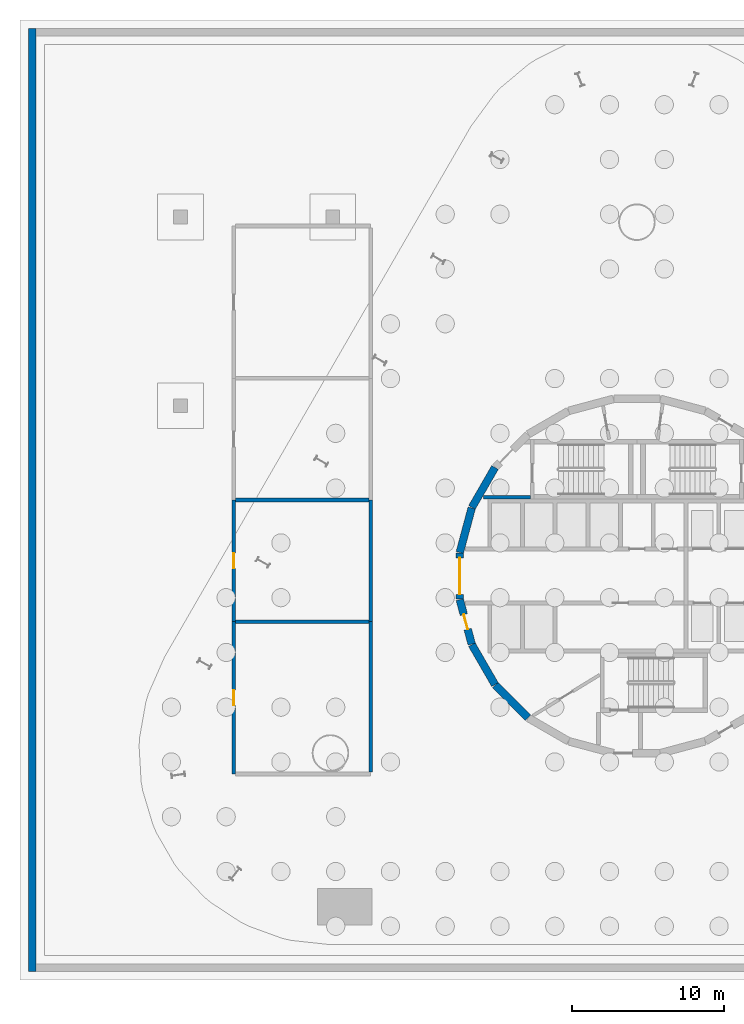
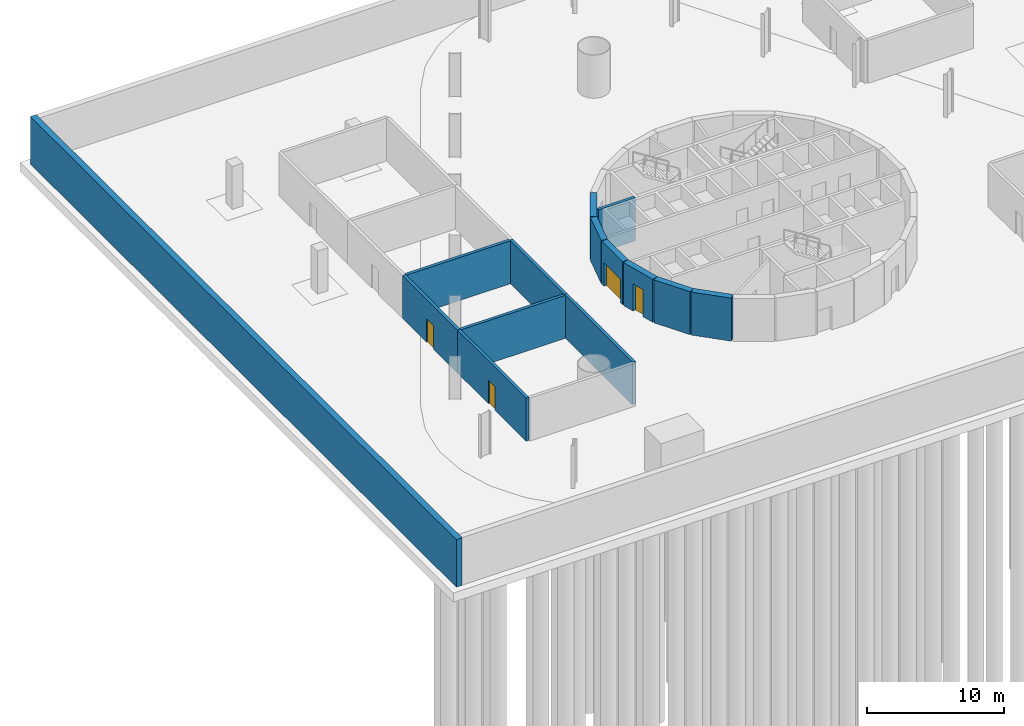
# One storey, part 5 of 11: 14 walls, 4 doors, 4 openings.
"""IFC4 building model written with IfcOpenShell, lengths in metres."""

from ifc_helpers import new_model, si_unit, direction, frame, frame_2d, origin, place, context, subcontext, project, spatial, rectangle, extrude, material, layer, layer_set, type_object, element, fill, save


model = new_model("IFC4")

# Units and contexts
model_context = context("Model", 3, precision=1e-05, world=origin(), true_north=direction((0.0, 1.0)))
body_context = subcontext(model_context, "Body", "Model", "MODEL_VIEW")
ifc_project = project(units=[si_unit("LENGTHUNIT", "METRE"), si_unit("AREAUNIT", "SQUARE_METRE"), si_unit("VOLUMEUNIT", "CUBIC_METRE"), si_unit("PLANEANGLEUNIT", "RADIAN"), si_unit("MASSUNIT", "GRAM", prefix="KILO")], contexts=[model_context])

# Site, building, storey
site_placement = place(None, origin())
site = spatial("IfcSite", under=ifc_project, at=site_placement, CompositionType="ELEMENT")
building_placement = place(site_placement, origin())
building = spatial("IfcBuilding", under=site, at=building_placement, Name="Spindle Arch Residences", CompositionType="ELEMENT")
storey_placement = place(building_placement, frame((0.0, 0.0, -8.39990234375)))
storey = spatial("IfcBuildingStorey", under=building, at=storey_placement, Name="B2", CompositionType="ELEMENT", Elevation=-8.39990234375)

# Walls
ifc_material_1 = material(Name="Concrete C40/50", Category="concrete")
ifc_layer_1 = layer(ifc_material_1, 0.5)
ifc_layer_set_1 = layer_set([ifc_layer_1], Name="Basement retaining wall 500")
wall_type_1 = type_object("IfcWallType", Name="Basement retaining wall 500", PredefinedType="SOLIDWALL", material=ifc_layer_set_1)
wall_1_placement = place(storey_placement, frame((-39.75, 36.0, -0.400146484375), z_axis=(0.0, 0.0, 1.0), x_axis=(0.0, -1.0, 0.0)))
element("IfcWall", 1, at=wall_1_placement, inside=storey, type_object=wall_type_1, Name="Retaining wall 4", PredefinedType="SOLIDWALL", context=body_context, shape_type="SweptSolid", body=[
    extrude(rectangle(XDim=62.0, YDim=0.5, at=frame_2d((31.0, 0.0))), origin(), (0.0, 0.0, 1.0), 4.219970703125),
])
ifc_material_2 = material(Name="Concrete C50/60", Category="concrete")
ifc_layer_2 = layer(ifc_material_2, 0.5)
ifc_layer_set_2 = layer_set([ifc_layer_2], Name="Core outline wall 500")
wall_type_2 = type_object("IfcWallType", Name="Core outline wall 500", PredefinedType="SHEAR", material=ifc_layer_set_2)
for number, where, z_axis, x_axis, name in (
    (2, (-9.32861328125, 7.13671875, 0.0), (0.0, 0.0, 1.0), (-0.500087131594, -0.865975092491, 0.0), "Core outline wall 16"),
    (3, (-10.858154296875, 4.479248046875, 0.0), (0.0, 0.0, 1.0), (-0.258734743916, -0.965948410781, 0.0), "Core outline wall 17"),
):
    element("IfcWall", number, at=place(storey_placement, frame(where, z_axis=z_axis, x_axis=x_axis)), inside=storey, type_object=wall_type_2, Name=name, PredefinedType="SHEAR", context=body_context, shape_type="SweptSolid", body=[
        extrude(rectangle(XDim=3.03271484375, YDim=0.5, at=frame_2d((1.516357421875, 0.0))), origin(), (0.0, 0.0, 1.0), 3.81982421875),
    ])

# Wall, opening, door
wall_2_placement = place(storey_placement, frame((-11.647216796875, 1.516357421875, 0.0), z_axis=(0.0, 0.0, 1.0), x_axis=(0.0, -1.0, 0.0)))
wall_2 = element("IfcWall", 4, at=wall_2_placement, inside=storey, type_object=wall_type_2, Name="Core outline wall 18", PredefinedType="SHEAR", context=body_context, shape_type="SweptSolid", body=[
    extrude(rectangle(XDim=3.03271484375, YDim=0.5, at=frame_2d((1.516357421875, 0.0))), origin(), (0.0, 0.0, 1.0), 3.81982421875),
])
opening_1_placement = place(wall_2_placement, frame((0.31640625, 0.0, 0.0)))
opening_1 = element("IfcOpeningElement", 5, at=opening_1_placement, cuts=wall_2, Name="Opening B2-LE01", PredefinedType="OPENING", context=body_context, shape_type="SweptSolid", body=[
    extrude(rectangle(XDim=2.39990234375, YDim=2.10009765625, at=frame_2d((1.199951171875, 1.050048828125))), frame((0.0, 0.260009765625, 0.0), z_axis=(0.0, -1.0, 0.0), x_axis=(1.0, 0.0, 0.0)), (0.0, 0.0, 1.0), 0.52001953125),
])
ifc_material_3 = material(Name="Steel, fire-resisting door", Category="steel")
door_type_1 = type_object("IfcDoorType", Name="Lift lobby entrance door 2400x2100", OperationType="DOUBLE_DOOR_SINGLE_SWING", PredefinedType="DOOR", material=ifc_material_3)
door_1_placement = place(opening_1_placement, origin())
door_1 = element("IfcDoor", 6, at=door_1_placement, inside=storey, type_object=door_type_1, Name="Lift lobby entrance door B2-LE01", OperationType="DOUBLE_DOOR_SINGLE_SWING", OverallHeight=2.10009765625, OverallWidth=2.39990234375, PredefinedType="DOOR", context=body_context, shape_type="SweptSolid", body=[
    extrude(rectangle(XDim=2.39990234375, YDim=2.10009765625, at=frame_2d((1.199951171875, 1.050048828125))), frame((0.0, 0.02490234375, 0.0), z_axis=(0.0, -1.0, 0.0), x_axis=(1.0, 0.0, 0.0)), (0.0, 0.0, 1.0), 0.050048828125),
])
fill(opening_1, door_1)

wall_3_placement = place(storey_placement, frame((-11.642822265625, -1.5498046875, 0.0), z_axis=(0.0, 0.0, 1.0), x_axis=(0.258734743916, -0.965948410781, 0.0)))
wall_3 = element("IfcWall", 7, at=wall_3_placement, inside=storey, type_object=wall_type_2, Name="Core outline wall 19", PredefinedType="SHEAR", context=body_context, shape_type="SweptSolid", body=[
    extrude(rectangle(XDim=3.03271484375, YDim=0.5, at=frame_2d((1.516357421875, 0.0))), origin(), (0.0, 0.0, 1.0), 3.81982421875),
])
opening_2_placement = place(wall_3_placement, frame((1.016357421875, 0.0, 0.0)))
opening_2 = element("IfcOpeningElement", 8, at=opening_2_placement, cuts=wall_3, Name="Opening B2-PD09", PredefinedType="OPENING", context=body_context, shape_type="SweptSolid", body=[
    extrude(rectangle(XDim=1.0, YDim=2.39990234375, at=frame_2d((0.5, 1.199951171875))), frame((0.0, 0.260009765625, 0.0), z_axis=(0.0, -1.0, 0.0), x_axis=(1.0, 0.0, 0.0)), (0.0, 0.0, 1.0), 0.52001953125),
])
ifc_material_4 = material(Name="Steel, fire-resisting door", Category="steel")
door_type_2 = type_object("IfcDoorType", Name="Plant room door 1000x2400", OperationType="SINGLE_SWING_LEFT", PredefinedType="DOOR", material=ifc_material_4)
door_2_placement = place(opening_2_placement, origin())
door_2 = element("IfcDoor", 9, at=door_2_placement, inside=storey, type_object=door_type_2, Name="Plant room door B2-PD09", OperationType="SINGLE_SWING_RIGHT", OverallHeight=2.39990234375, OverallWidth=1.0, PredefinedType="DOOR", context=body_context, shape_type="SweptSolid", body=[
    extrude(rectangle(XDim=1.0, YDim=2.39990234375, at=frame_2d((0.5, 1.199951171875))), frame((0.0, 0.02490234375, 0.0), z_axis=(0.0, -1.0, 0.0), x_axis=(1.0, 0.0, 0.0)), (0.0, 0.0, 1.0), 0.050048828125),
])
fill(opening_2, door_2)

# Walls
wall_4_placement = place(storey_placement, frame((-10.84521484375, -4.510498046875, 0.0), z_axis=(0.0, 0.0, 1.0), x_axis=(0.500087131594, -0.865975092491, 0.0)))
element("IfcWall", 10, at=wall_4_placement, inside=storey, type_object=wall_type_2, Name="Core outline wall 20", PredefinedType="SHEAR", context=body_context, shape_type="SweptSolid", body=[
    extrude(rectangle(XDim=3.03271484375, YDim=0.5, at=frame_2d((1.516357421875, 0.0))), origin(), (0.0, 0.0, 1.0), 3.81982421875),
])
wall_5_placement = place(storey_placement, frame((-9.30810546875, -7.163818359375, 0.0), z_axis=(0.0, 0.0, 1.0), x_axis=(0.707106781187, -0.707106781187, 0.0)))
element("IfcWall", 11, at=wall_5_placement, inside=storey, type_object=wall_type_2, Name="Core outline wall 21", PredefinedType="SHEAR", context=body_context, shape_type="SweptSolid", body=[
    extrude(rectangle(XDim=3.032470703125, YDim=0.5, at=frame_2d((1.51611328125, 0.0))), origin(), (0.0, 0.0, 1.0), 3.81982421875),
])

# Wall, opening, door
ifc_material_5 = material(Name="Concrete C25/30 wall", Category="concrete")
ifc_layer_3 = layer(ifc_material_5, 0.25)
ifc_layer_set_3 = layer_set([ifc_layer_3], Name="Partition EI 120 250 plant")
wall_type_3 = type_object("IfcWallType", Name="Partition EI 120 250 plant", PredefinedType="PARTITIONING", material=ifc_layer_set_3)
wall_6_placement = place(storey_placement, frame((-26.5, -13.0, 0.0), z_axis=(0.0, 0.0, 1.0), x_axis=(0.0, 1.0, 0.0)))
wall_6 = element("IfcWall", 12, at=wall_6_placement, inside=storey, type_object=wall_type_3, Name="B2-W001", PredefinedType="PARTITIONING", context=body_context, shape_type="SweptSolid", body=[
    extrude(rectangle(XDim=10.0, YDim=0.25, at=frame_2d((5.0, 0.0))), origin(), (0.0, 0.0, 1.0), 3.81982421875),
])
opening_3_placement = place(wall_6_placement, frame((4.5, 0.0, 0.0)))
opening_3 = element("IfcOpeningElement", 13, at=opening_3_placement, cuts=wall_6, Name="Opening B2-D02", PredefinedType="OPENING", context=body_context, shape_type="SweptSolid", body=[
    extrude(rectangle(XDim=1.0, YDim=2.10009765625, at=frame_2d((0.5, 1.050048828125))), frame((0.0, 0.135009765625, 0.0), z_axis=(0.0, -1.0, 0.0), x_axis=(1.0, 0.0, 0.0)), (0.0, 0.0, 1.0), 0.27001953125),
])
ifc_material_6 = material(Name="Steel door leaf, painted", Category="steel")
door_type_3 = type_object("IfcDoorType", Name="Door 1000x2100 EI 60", OperationType="SINGLE_SWING_LEFT", PredefinedType="DOOR", material=ifc_material_6)
door_3_placement = place(opening_3_placement, origin())
door_3 = element("IfcDoor", 14, at=door_3_placement, inside=storey, type_object=door_type_3, Name="B2-D02", OperationType="SINGLE_SWING_LEFT", OverallHeight=2.10009765625, OverallWidth=1.0, PredefinedType="DOOR", context=body_context, shape_type="SweptSolid", body=[
    extrude(rectangle(XDim=1.0, YDim=2.10009765625, at=frame_2d((0.5, 1.050048828125))), frame((0.0, 0.02490234375, 0.0), z_axis=(0.0, -1.0, 0.0), x_axis=(1.0, 0.0, 0.0)), (0.0, 0.0, 1.0), 0.050048828125),
])
fill(opening_3, door_3)

wall_7_placement = place(storey_placement, frame((-26.5, -3.0, 0.0), z_axis=(0.0, 0.0, 1.0), x_axis=(0.0, 1.0, 0.0)))
wall_7 = element("IfcWall", 15, at=wall_7_placement, inside=storey, type_object=wall_type_3, Name="B2-W002", PredefinedType="PARTITIONING", context=body_context, shape_type="SweptSolid", body=[
    extrude(rectangle(XDim=8.0, YDim=0.25, at=frame_2d((4.0, 0.0))), origin(), (0.0, 0.0, 1.0), 3.81982421875),
])
opening_4_placement = place(wall_7_placement, frame((3.5, 0.0, 0.0)))
opening_4 = element("IfcOpeningElement", 16, at=opening_4_placement, cuts=wall_7, Name="Opening B2-D03", PredefinedType="OPENING", context=body_context, shape_type="SweptSolid", body=[
    extrude(rectangle(XDim=1.0, YDim=2.10009765625, at=frame_2d((0.5, 1.050048828125))), frame((0.0, 0.135009765625, 0.0), z_axis=(0.0, -1.0, 0.0), x_axis=(1.0, 0.0, 0.0)), (0.0, 0.0, 1.0), 0.27001953125),
])
door_4_placement = place(opening_4_placement, origin())
door_4 = element("IfcDoor", 17, at=door_4_placement, inside=storey, type_object=door_type_3, Name="B2-D03", OperationType="SINGLE_SWING_LEFT", OverallHeight=2.10009765625, OverallWidth=1.0, PredefinedType="DOOR", context=body_context, shape_type="SweptSolid", body=[
    extrude(rectangle(XDim=1.0, YDim=2.10009765625, at=frame_2d((0.5, 1.050048828125))), frame((0.0, 0.02490234375, 0.0), z_axis=(0.0, -1.0, 0.0), x_axis=(1.0, 0.0, 0.0)), (0.0, 0.0, 1.0), 0.050048828125),
])
fill(opening_4, door_4)

# Walls
wall_8_placement = place(storey_placement, frame((-26.375, -3.0, 0.0), z_axis=(0.0, 0.0, 1.0), x_axis=(1.0, 0.0, 0.0)))
element("IfcWall", 18, at=wall_8_placement, inside=storey, type_object=wall_type_3, Name="B2-W003", PredefinedType="PARTITIONING", context=body_context, shape_type="SweptSolid", body=[
    extrude(rectangle(XDim=8.75, YDim=0.25, at=frame_2d((4.375, 0.0))), origin(), (0.0, 0.0, 1.0), 3.81982421875),
])
wall_9_placement = place(storey_placement, frame((-17.5, -3.0, 0.0), z_axis=(0.0, 0.0, 1.0), x_axis=(0.0, -1.0, 0.0)))
element("IfcWall", 19, at=wall_9_placement, inside=storey, type_object=wall_type_3, Name="B2-W010", PredefinedType="PARTITIONING", context=body_context, shape_type="SweptSolid", body=[
    extrude(rectangle(XDim=9.875, YDim=0.25, at=frame_2d((4.9375, 0.0))), origin(), (0.0, 0.0, 1.0), 3.81982421875),
])
wall_10_placement = place(storey_placement, frame((-17.5, 5.0, 0.0), z_axis=(0.0, 0.0, 1.0), x_axis=(0.0, -1.0, 0.0)))
element("IfcWall", 20, at=wall_10_placement, inside=storey, type_object=wall_type_3, Name="B2-W011", PredefinedType="PARTITIONING", context=body_context, shape_type="SweptSolid", body=[
    extrude(rectangle(XDim=8.0, YDim=0.25, at=frame_2d((4.0, 0.0))), origin(), (0.0, 0.0, 1.0), 3.81982421875),
])
ifc_material_7 = material(Name="Concrete C25/30 wall", Category="concrete")
ifc_layer_4 = layer(ifc_material_7, 0.25)
ifc_layer_set_4 = layer_set([ifc_layer_4], Name="Partition EI 150 250 electrical")
wall_type_4 = type_object("IfcWallType", Name="Partition EI 150 250 electrical", PredefinedType="PARTITIONING", material=ifc_layer_set_4)
wall_11_placement = place(storey_placement, frame((-26.375, 5.0, 0.0), z_axis=(0.0, 0.0, 1.0), x_axis=(1.0, 0.0, 0.0)))
element("IfcWall", 21, at=wall_11_placement, inside=storey, type_object=wall_type_4, Name="B2-W005", PredefinedType="PARTITIONING", context=body_context, shape_type="SweptSolid", body=[
    extrude(rectangle(XDim=8.75, YDim=0.25, at=frame_2d((4.375, 0.0))), origin(), (0.0, 0.0, 1.0), 3.81982421875),
])
ifc_material_8 = material(Name="Concrete C40/50", Category="concrete")
ifc_layer_5 = layer(ifc_material_8, 0.25)
ifc_layer_set_5 = layer_set([ifc_layer_5], Name="Stair airlock wall 250")
wall_type_5 = type_object("IfcWallType", Name="Stair airlock wall 250", PredefinedType="SHEAR", material=ifc_layer_set_5)
wall_12_placement = place(storey_placement, frame((-7.0, 5.175048828125, 0.0), z_axis=(0.0, 0.0, 1.0), x_axis=(-1.0, 0.0, 0.0)))
element("IfcWall", 22, at=wall_12_placement, inside=storey, type_object=wall_type_5, Name="Stair ST-2 airlock wall S", PredefinedType="SHEAR", context=body_context, shape_type="SweptSolid", body=[
    extrude(rectangle(XDim=3.10009765625, YDim=0.25, at=frame_2d((1.550048828125, 0.0))), origin(), (0.0, 0.0, 1.0), 3.81982421875),
])

save(model, "model.ifc")
